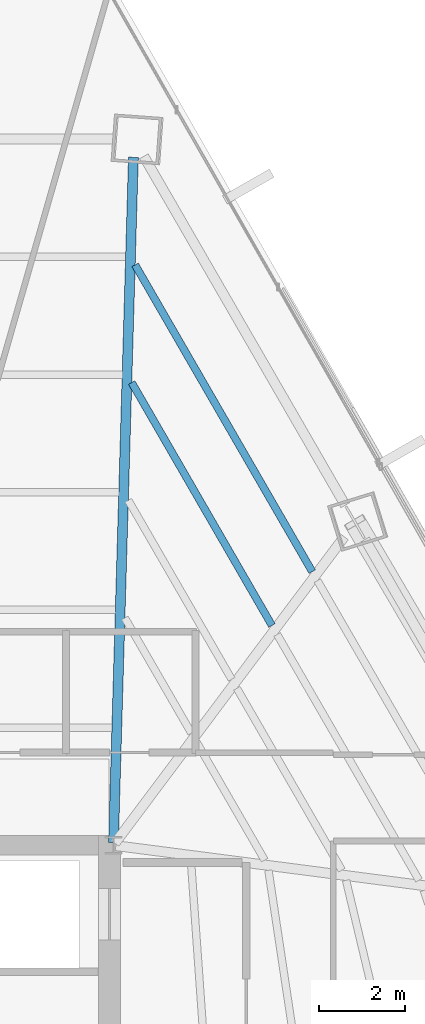
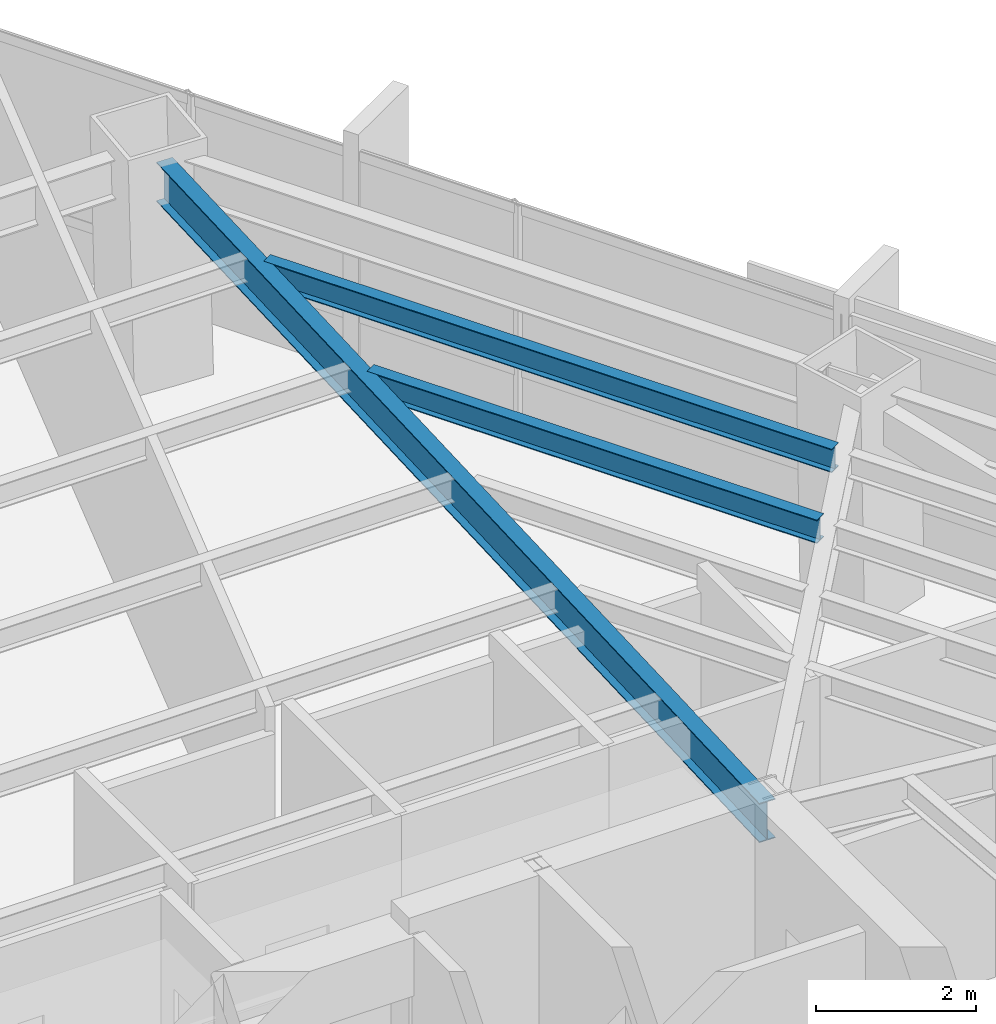
# One storey, part 28 of 36: 3 beams.
"""IFC4 building model written with IfcOpenShell, lengths in metres."""

from ifc_helpers import new_model, si_unit, direction, frame, origin, origin_2d, place, context, subcontext, project, spatial, i_section, extrude, source, transform, mapped, material, material_profile, profile_set, type_object, type_shapes, element, save


model = new_model("IFC4")

# Units and contexts
model_context = context("Model", 3, precision=1e-05, world=origin(), true_north=direction((0.0, 1.0)))
body_context = subcontext(model_context, "Body", "Model", "MODEL_VIEW")
ifc_project = project(units=[si_unit("LENGTHUNIT", "METRE"), si_unit("AREAUNIT", "SQUARE_METRE"), si_unit("VOLUMEUNIT", "CUBIC_METRE"), si_unit("PLANEANGLEUNIT", "RADIAN"), si_unit("MASSUNIT", "GRAM", prefix="KILO")], contexts=[model_context])

# Site, building, storey
site_placement = place(None, origin())
site = spatial("IfcSite", under=ifc_project, at=site_placement, CompositionType="ELEMENT")
building_placement = place(site_placement, origin())
building = spatial("IfcBuilding", under=site, at=building_placement, Name="Caelisora Broadcast Tower", CompositionType="ELEMENT")
storey_placement = place(building_placement, frame((0.0, 0.0, 79.85009765625)))
storey = spatial("IfcBuildingStorey", under=building, at=storey_placement, Name="L20", CompositionType="ELEMENT", Elevation=79.85009765625)

# Beams
ifc_material = material(Name="Steel Grade 350 (AS/NZS 3679.1)", Category="steel")
ifc_material_profile_1 = material_profile(ifc_material, i_section(OverallWidth=0.22802734375, OverallDepth=0.602294921875, WebThickness=0.010498046875, FlangeThickness=0.014892578125, at=origin_2d()), Name="Steel Grade 350 (AS/NZS 3679.1)")
ifc_profile_set_1 = profile_set([ifc_material_profile_1], Name="Steel Grade 350 (AS/NZS 3679.1)")
beam_type_1 = type_object("IfcBeamType", Name="PG04", PredefinedType="BEAM", material=ifc_profile_set_1)
shared_shape_1 = source(origin(), body_context, "Body", "SweptSolid", [
    extrude(i_section(OverallWidth=0.22802734375, OverallDepth=0.602294921875, WebThickness=0.010498046875, FlangeThickness=0.014892578125, at=origin_2d()), origin(), (0.0, 0.0, 1.0), 15.8974609375),
])
type_shapes(beam_type_1, [shared_shape_1])
beam_1_placement = place(storey_placement, frame((45.501708984375, 30.06005859375, 3.098876953125), z_axis=(0.029086753799, 0.999576890866, 0.0), x_axis=(-0.999576890866, 0.029086753799, 0.0)))
element("IfcBeam", 1, at=beam_1_placement, inside=storey, type_object=beam_type_1, Name="L20 beam PG04", PredefinedType="BEAM", context=body_context, shape_type="MappedRepresentation", body=[
    mapped(shared_shape_1, transform((0.0, 0.0, 0.0), scale=1.0)),
])
ifc_material_profile_2 = material_profile(ifc_material, i_section(OverallWidth=0.172119140625, OverallDepth=0.358642578125, WebThickness=0.008056640625, FlangeThickness=0.012939453125, at=origin_2d()), Name="Steel Grade 350 (AS/NZS 3679.1)")
ifc_profile_set_2 = profile_set([ifc_material_profile_2], Name="Steel Grade 350 (AS/NZS 3679.1)")
beam_type_2 = type_object("IfcBeamType", Name="SB02", PredefinedType="JOIST", material=ifc_profile_set_2)
shared_shape_2 = source(origin(), body_context, "Body", "SweptSolid", [
    extrude(i_section(OverallWidth=0.172119140625, OverallDepth=0.358642578125, WebThickness=0.008056640625, FlangeThickness=0.012939453125, at=origin_2d()), origin(), (0.0, 0.0, 1.0), 6.50244140625),
])
beam_2_placement = place(storey_placement, frame((49.17578125, 35.0966796875, 3.220703125), z_axis=(-0.499995457651, 0.866028026295, 0.0), x_axis=(-0.866028026295, -0.499995457651, 0.0)))
element("IfcBeam", 2, at=beam_2_placement, inside=storey, type_object=beam_type_2, Name="L20 beam SB02", PredefinedType="JOIST", context=body_context, shape_type="MappedRepresentation", body=[
    mapped(shared_shape_2, transform((0.0, 0.0, 0.0), scale=1.0)),
])
shared_shape_3 = source(origin(), body_context, "Body", "SweptSolid", [
    extrude(i_section(OverallWidth=0.172119140625, OverallDepth=0.358642578125, WebThickness=0.008056640625, FlangeThickness=0.012939453125, at=origin_2d()), origin(), (0.0, 0.0, 1.0), 8.21240234375),
])
type_shapes(beam_type_2, [shared_shape_2, shared_shape_3])
beam_3_placement = place(storey_placement, frame((50.110107421875, 36.344482421875, 3.220703125), z_axis=(-0.500004666817, 0.866022709379, 0.0), x_axis=(-0.866022709379, -0.500004666817, 0.0)))
element("IfcBeam", 3, at=beam_3_placement, inside=storey, type_object=beam_type_2, Name="L20 beam SB02", PredefinedType="JOIST", context=body_context, shape_type="MappedRepresentation", body=[
    mapped(shared_shape_3, transform((0.0, 0.0, 0.0), scale=1.0)),
])

save(model, "model.ifc")
